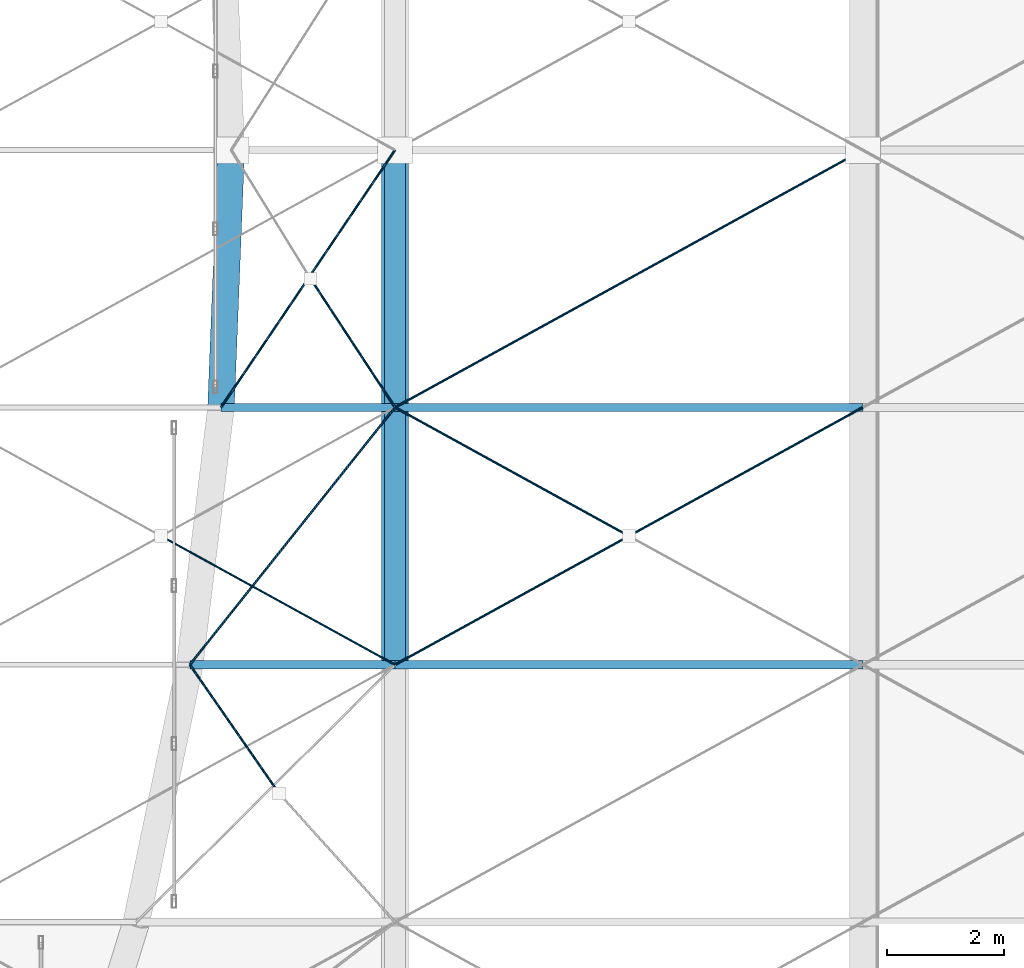
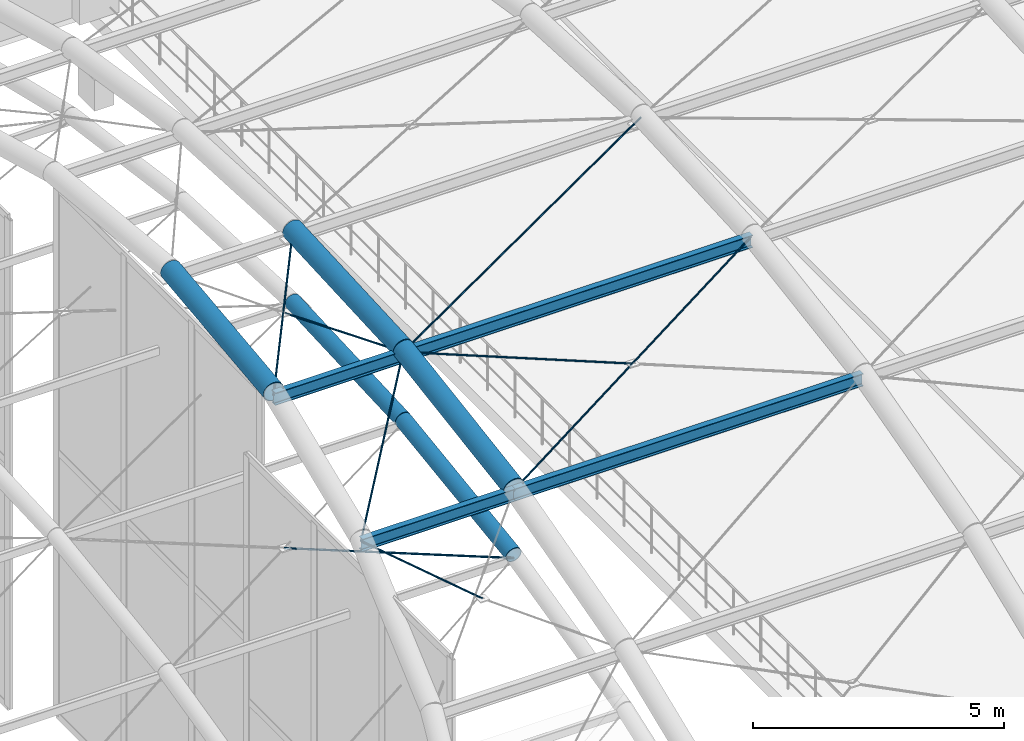
# One storey, part 25 of 163: 9 beams, 8 members.
"""IFC4 building model written with IfcOpenShell, lengths in metres."""

from ifc_helpers import new_model, si_unit, direction, frame, origin, origin_2d, place, context, subcontext, project, spatial, circle, hollow_circle, i_section, extrude, material, material_profile, profile_set, type_object, element, save


model = new_model("IFC4")

# Units and contexts
model_context = context("Model", 3, precision=1e-05, world=origin(), true_north=direction((0.0, 1.0)))
body_context = subcontext(model_context, "Body", "Model", "MODEL_VIEW")
ifc_project = project(units=[si_unit("LENGTHUNIT", "METRE"), si_unit("AREAUNIT", "SQUARE_METRE"), si_unit("VOLUMEUNIT", "CUBIC_METRE"), si_unit("PLANEANGLEUNIT", "RADIAN"), si_unit("MASSUNIT", "GRAM", prefix="KILO")], contexts=[model_context])

# Site, building, storey
site_placement = place(None, origin())
site = spatial("IfcSite", under=ifc_project, at=site_placement, CompositionType="ELEMENT")
building_placement = place(site_placement, origin())
building = spatial("IfcBuilding", under=site, at=building_placement, Name="Varnabhumi Central Station", CompositionType="ELEMENT")
storey_placement = place(building_placement, frame((0.0, 0.0, 9.60009765625)))
storey = spatial("IfcBuildingStorey", under=building, at=storey_placement, Name="L02", CompositionType="ELEMENT", Elevation=9.60009765625)

# Beams
ifc_material_1 = material(Name="Structural steel E350", Category="steel")
ifc_material_profile_1 = material_profile(ifc_material_1, hollow_circle(Radius=0.177734375, WallThickness=0.012451171875, at=origin_2d()), Name="Structural steel E350", Category="steel")
ifc_profile_set_1 = profile_set([ifc_material_profile_1], Name="Structural steel E350")
beam_type_1 = type_object("IfcBeamType", Name="BM-ARCH-CHS355", PredefinedType="BEAM", material=ifc_profile_set_1)
beam_1_placement = place(storey_placement, frame((48.0, 49.199951171875, 8.182373046875), z_axis=(0.0, 0.99037356126, 0.138420407303), x_axis=(-1.0, 0.0, 0.0)))
element("IfcBeam", 1, at=beam_1_placement, inside=storey, type_object=beam_type_1, Name="Entrance Portico Vault Arch Rib 5 Seg 4", PredefinedType="BEAM", context=body_context, shape_type="SweptSolid", body=[
    extrude(hollow_circle(Radius=0.177734375, WallThickness=0.012451171875, at=origin_2d()), origin(), (0.0, 0.0, 1.0), 4.44287109375),
])
beam_2_placement = place(storey_placement, frame((48.0, 53.60009765625, 8.79736328125), z_axis=(0.0, 0.998941160779, 0.046006057233), x_axis=(-1.0, 0.0, 0.0)))
element("IfcBeam", 2, at=beam_2_placement, inside=storey, type_object=beam_type_1, Name="Entrance Portico Vault Arch Rib 5 Seg 5", PredefinedType="BEAM", context=body_context, shape_type="SweptSolid", body=[
    extrude(hollow_circle(Radius=0.177734375, WallThickness=0.012451171875, at=origin_2d()), origin(), (0.0, 0.0, 1.0), 4.404541015625),
])
ifc_material_2 = material(Name="Structural steel E450", Category="steel")
ifc_material_profile_2 = material_profile(ifc_material_2, hollow_circle(Radius=0.228515625, WallThickness=0.01611328125, at=origin_2d()), Name="Structural steel E450", Category="steel")
ifc_profile_set_2 = profile_set([ifc_material_profile_2], Name="Structural steel E450")
beam_type_2 = type_object("IfcBeamType", Name="BM-ARCH-CHS457", PredefinedType="BEAM", material=ifc_profile_set_2)
beam_3_placement = place(storey_placement, frame((45.0244140625, 53.60009765625, 10.520263671875), z_axis=(0.039809826951, 0.997847985129, 0.052101595495), x_axis=(-0.999205116003, 0.039863970614, 0.0)))
element("IfcBeam", 3, at=beam_3_placement, inside=storey, type_object=beam_type_2, Name="Ticket Hall Vault Arch Rib 1 Seg 5", PredefinedType="BEAM", context=body_context, shape_type="SweptSolid", body=[
    extrude(hollow_circle(Radius=0.228515625, WallThickness=0.01611328125, at=origin_2d()), origin(), (0.0, 0.0, 1.0), 4.409423828125),
])
beam_4_placement = place(storey_placement, frame((48.0, 49.199951171875, 9.8232421875), z_axis=(0.0, 0.987684638155, 0.156457839535), x_axis=(-1.0, 0.0, 0.0)))
element("IfcBeam", 4, at=beam_4_placement, inside=storey, type_object=beam_type_2, Name="Ticket Hall Vault Arch Rib 2 Seg 4", PredefinedType="BEAM", context=body_context, shape_type="SweptSolid", body=[
    extrude(hollow_circle(Radius=0.228515625, WallThickness=0.01611328125, at=origin_2d()), origin(), (0.0, 0.0, 1.0), 4.455078125),
])
beam_5_placement = place(storey_placement, frame((48.0, 53.60009765625, 10.520263671875), z_axis=(0.0, 0.998639632098, 0.052142930518), x_axis=(-1.0, 0.0, 0.0)))
element("IfcBeam", 5, at=beam_5_placement, inside=storey, type_object=beam_type_2, Name="Ticket Hall Vault Arch Rib 2 Seg 5", PredefinedType="BEAM", context=body_context, shape_type="SweptSolid", body=[
    extrude(hollow_circle(Radius=0.228515625, WallThickness=0.01611328125, at=origin_2d()), origin(), (0.0, 0.0, 1.0), 4.406005859375),
])
ifc_material_profile_3 = material_profile(ifc_material_1, i_section(OverallWidth=0.139892578125, OverallDepth=0.300048828125, WebThickness=0.0078125, FlangeThickness=0.01318359375, FilletRadius=0.013916015625, at=origin_2d()), Name="Structural steel E350", Category="steel")
ifc_profile_set_3 = profile_set([ifc_material_profile_3], Name="Structural steel E350")
beam_type_3 = type_object("IfcBeamType", Name="BM-PUR-ISMB300", PredefinedType="LINTEL", material=ifc_profile_set_3)
beam_6_placement = place(storey_placement, frame((44.491455078125, 49.199951171875, 9.67333984375), z_axis=(1.0, 0.0, 0.0), x_axis=(0.0, 1.0, 0.0)))
element("IfcBeam", 6, at=beam_6_placement, inside=storey, type_object=beam_type_3, Name="Ticket Hall Vault Purlin B1-L3", PredefinedType="LINTEL", context=body_context, shape_type="SweptSolid", body=[
    extrude(i_section(OverallWidth=0.139892578125, OverallDepth=0.300048828125, WebThickness=0.0078125, FlangeThickness=0.01318359375, FilletRadius=0.013916015625, at=origin_2d()), origin(), (0.0, 0.0, 1.0), 3.508544921875),
])
beam_7_placement = place(storey_placement, frame((45.0244140625, 53.60009765625, 10.370361328125), z_axis=(1.0, 0.0, 0.0), x_axis=(0.0, 1.0, 0.0)))
element("IfcBeam", 7, at=beam_7_placement, inside=storey, type_object=beam_type_3, Name="Ticket Hall Vault Purlin B1-L4", PredefinedType="LINTEL", context=body_context, shape_type="SweptSolid", body=[
    extrude(i_section(OverallWidth=0.139892578125, OverallDepth=0.300048828125, WebThickness=0.0078125, FlangeThickness=0.01318359375, FilletRadius=0.013916015625, at=origin_2d()), origin(), (0.0, 0.0, 1.0), 2.9755859375),
])
for number, where, z_axis, x_axis, name in (
    (8, (48.0, 49.199951171875, 9.67333984375), (1.0, 0.0, 0.0), (0.0, 1.0, 0.0), "Ticket Hall Vault Purlin B2-L3"),
    (9, (48.0, 53.60009765625, 10.370361328125), (1.0, 0.0, 0.0), (0.0, 1.0, 0.0), "Ticket Hall Vault Purlin B2-L4"),
):
    element("IfcBeam", number, at=place(storey_placement, frame(where, z_axis=z_axis, x_axis=x_axis)), inside=storey, type_object=beam_type_3, Name=name, PredefinedType="LINTEL", context=body_context, shape_type="SweptSolid", body=[
        extrude(i_section(OverallWidth=0.139892578125, OverallDepth=0.300048828125, WebThickness=0.0078125, FlangeThickness=0.01318359375, FilletRadius=0.013916015625, at=origin_2d()), origin(), (0.0, 0.0, 1.0), 8.0),
    ])

# Members
ifc_material_3 = material(Name="Spiral-strand steel S1570", Category="steel")
ifc_material_profile_4 = material_profile(ifc_material_3, circle(Radius=0.01806640625, at=origin_2d()), Name="Spiral-strand steel S1570", Category="steel")
ifc_profile_set_4 = profile_set([ifc_material_profile_4], Name="Spiral-strand steel S1570")
member_type_1 = type_object("IfcMemberType", Name="MBR-CABLE-D36", PredefinedType="USERDEFINED", material=ifc_profile_set_4)
member_1_placement = place(storey_placement, frame((44.0, 51.39990234375, 8.409912109375), z_axis=(0.874237823913, -0.480820131304, -0.06723264515), x_axis=(0.481910537812, 0.876220425204, 0.0)))
element("IfcMember", 10, at=member_1_placement, inside=storey, type_object=member_type_1, Name="Entrance Portico Vault Cable-Net Split Tie B4-P4B2", ObjectType="TENSION CABLE", PredefinedType="USERDEFINED", context=body_context, shape_type="SweptSolid", body=[
    extrude(circle(Radius=0.01806640625, at=origin_2d()), origin(), (0.0, 0.0, 1.0), 4.575439453125),
])
ifc_material_profile_5 = material_profile(ifc_material_3, circle(Radius=0.02099609375, at=origin_2d()), Name="Spiral-strand steel S1570", Category="steel")
ifc_profile_set_5 = profile_set([ifc_material_profile_5], Name="Spiral-strand steel S1570")
member_type_2 = type_object("IfcMemberType", Name="MBR-CABLE-D42", PredefinedType="USERDEFINED", material=ifc_profile_set_5)
member_2_placement = place(storey_placement, frame((44.491455078125, 49.199951171875, 9.743408203125), z_axis=(0.556163121243, -0.801982058812, -0.217961831321), x_axis=(0.821738885077, 0.569864198518, 0.0)))
element("IfcMember", 11, at=member_2_placement, inside=storey, type_object=member_type_2, Name="Ticket Hall Vault Cable-Net Split Tie B1-P3B1", ObjectType="TENSION CABLE", PredefinedType="USERDEFINED", context=body_context, shape_type="SweptSolid", body=[
    extrude(circle(Radius=0.02099609375, at=origin_2d()), origin(), (0.0, 0.0, 1.0), 2.7431640625),
])
member_3_placement = place(storey_placement, frame((44.491455078125, 49.199951171875, 9.743408203125), z_axis=(0.618716177704, 0.775946118625, 0.122873562812), x_axis=(-0.78187087555, 0.623440401295, 0.0)))
element("IfcMember", 12, at=member_3_placement, inside=storey, type_object=member_type_2, Name="Ticket Hall Vault Cable-Net Tie B1-P4A", ObjectType="TENSION CABLE", PredefinedType="USERDEFINED", context=body_context, shape_type="SweptSolid", body=[
    extrude(circle(Radius=0.02099609375, at=origin_2d()), origin(), (0.0, 0.0, 1.0), 5.670654296875),
])
member_4_placement = place(storey_placement, frame((45.0244140625, 53.60009765625, 10.440185546875), z_axis=(0.559680378441, 0.827581209408, 0.043211292756), x_axis=(-0.828354929468, 0.560203633357, 0.0)))
element("IfcMember", 13, at=member_4_placement, inside=storey, type_object=member_type_2, Name="Ticket Hall Vault Cable-Net Tie B1-P5A", ObjectType="TENSION CABLE", PredefinedType="USERDEFINED", context=body_context, shape_type="SweptSolid", body=[
    extrude(circle(Radius=0.02099609375, at=origin_2d()), origin(), (0.0, 0.0, 1.0), 5.316650390625),
])
member_5_placement = place(storey_placement, frame((46.55615234375, 55.800048828125, 10.55517578125), z_axis=(0.548167760843, -0.835228219979, -0.04365691839), x_axis=(0.836025301353, 0.548690892487, 0.0)))
element("IfcMember", 14, at=member_5_placement, inside=storey, type_object=member_type_2, Name="Ticket Hall Vault Cable-Net Split Tie B1-P5B2", ObjectType="TENSION CABLE", PredefinedType="USERDEFINED", context=body_context, shape_type="SweptSolid", body=[
    extrude(circle(Radius=0.02099609375, at=origin_2d()), origin(), (0.0, 0.0, 1.0), 2.634033203125),
])
member_6_placement = place(storey_placement, frame((48.0, 49.199951171875, 9.743408203125), z_axis=(0.873668690933, 0.480533777365, 0.076094068723), x_axis=(-0.481931067474, 0.876209133828, 0.0)))
element("IfcMember", 15, at=member_6_placement, inside=storey, type_object=member_type_2, Name="Ticket Hall Vault Cable-Net Tie B2-P4A", ObjectType="TENSION CABLE", PredefinedType="USERDEFINED", context=body_context, shape_type="SweptSolid", body=[
    extrude(circle(Radius=0.02099609375, at=origin_2d()), origin(), (0.0, 0.0, 1.0), 9.15673828125),
])
member_7_placement = place(storey_placement, frame((48.0, 53.60009765625, 10.440185546875), z_axis=(0.873657497296, -0.48055428257, -0.076093093789), x_axis=(0.481951596342, 0.876197842262, 0.0)))
element("IfcMember", 16, at=member_7_placement, inside=storey, type_object=member_type_2, Name="Ticket Hall Vault Cable-Net Split Tie B2-P4B1", ObjectType="TENSION CABLE", PredefinedType="USERDEFINED", context=body_context, shape_type="SweptSolid", body=[
    extrude(circle(Radius=0.02099609375, at=origin_2d()), origin(), (0.0, 0.0, 1.0), 4.578369140625),
])
member_8_placement = place(storey_placement, frame((48.0, 53.60009765625, 10.440185546875), z_axis=(0.875943167688, 0.481758049563, 0.025154495874), x_axis=(-0.481910537812, 0.876220425204, 0.0)))
element("IfcMember", 17, at=member_8_placement, inside=storey, type_object=member_type_2, Name="Ticket Hall Vault Cable-Net Tie B2-P5A", ObjectType="TENSION CABLE", PredefinedType="USERDEFINED", context=body_context, shape_type="SweptSolid", body=[
    extrude(circle(Radius=0.02099609375, at=origin_2d()), origin(), (0.0, 0.0, 1.0), 9.133056640625),
])

save(model, "model.ifc")
